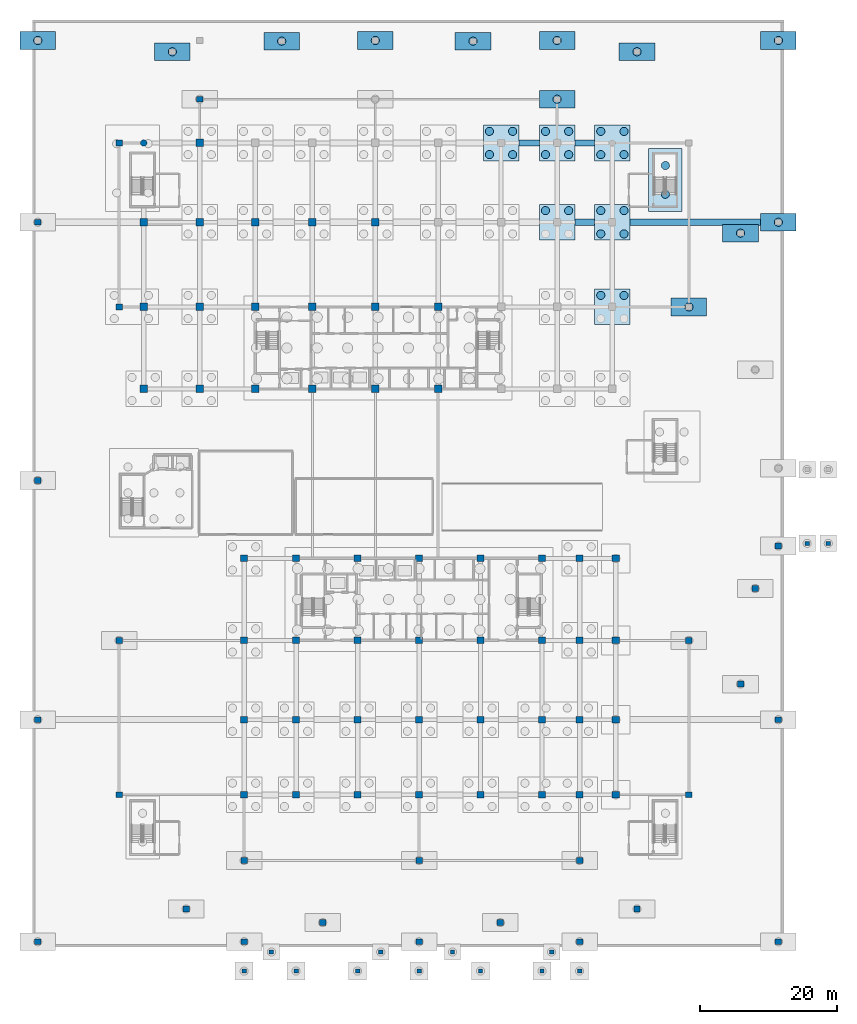
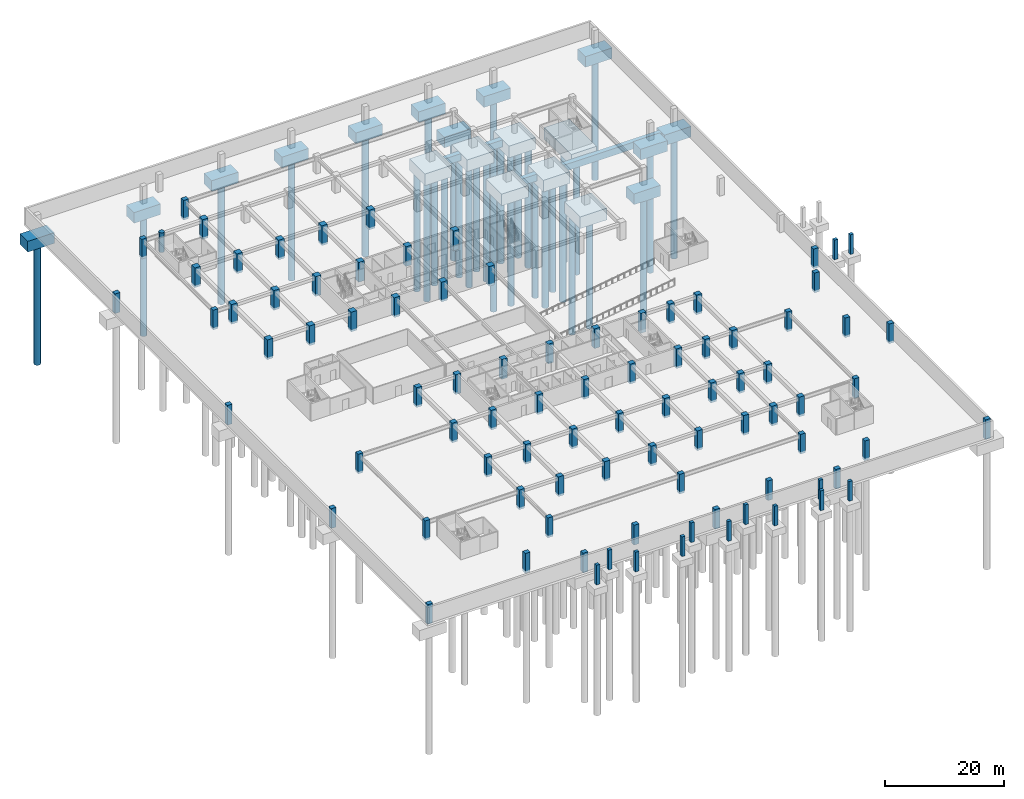
# One storey, part 4 of 26: 90 columns, 34 piles, 23 footings.
"""IFC4 building model written with IfcOpenShell, lengths in metres."""

from ifc_helpers import new_model, si_unit, direction, frame, origin, origin_2d, place, context, subcontext, project, spatial, polyline, rectangle, circle, outline, extrude, material, layer, layer_set, material_profile, profile_set, type_object, element, save


model = new_model("IFC4")

# Units and contexts
model_context = context("Model", 3, precision=1e-05, world=origin(), true_north=direction((0.0, 1.0)))
body_context = subcontext(model_context, "Body", "Model", "MODEL_VIEW")
ifc_project = project(units=[si_unit("LENGTHUNIT", "METRE"), si_unit("AREAUNIT", "SQUARE_METRE"), si_unit("VOLUMEUNIT", "CUBIC_METRE"), si_unit("PLANEANGLEUNIT", "RADIAN"), si_unit("MASSUNIT", "GRAM", prefix="KILO")], contexts=[model_context])

# Site, building, storey
site_placement = place(None, origin())
site = spatial("IfcSite", under=ifc_project, at=site_placement, CompositionType="ELEMENT")
building_placement = place(site_placement, origin())
building = spatial("IfcBuilding", under=site, at=building_placement, Name="Korimba Cascade Residences", CompositionType="ELEMENT")
storey_placement = place(building_placement, frame((0.0, 0.0, -10.800048828125)))
storey = spatial("IfcBuildingStorey", under=building, at=storey_placement, Name="B03", CompositionType="ELEMENT", Elevation=-10.800048828125)

# Footings
ifc_material_1 = material(Name="Concrete C50/60", Category="concrete")
ifc_layer_1 = layer(ifc_material_1, 1.39990234375)
ifc_layer_set_1 = layer_set([ifc_layer_1], Name="Concrete C50/60")
footing_type_1 = type_object("IfcFootingType", Name="GB-900X1400", PredefinedType="FOOTING_BEAM", material=ifc_layer_set_1)
footing_1_placement = place(storey_placement, frame((0.0, 0.0, -1.849853515625)))
element("IfcFooting", 1, at=footing_1_placement, inside=storey, type_object=footing_type_1, Name="Ground Tie Beam GB-008", PredefinedType="FOOTING_BEAM", context=body_context, shape_type="SweptSolid", body=[
    extrude(outline(polyline([(122.89990234375, 79.14990234375), (125.800048828125, 79.14990234375), (125.800048828125, 80.050048828125), (122.89990234375, 80.050048828125), (122.89990234375, 79.14990234375)])), origin(), (0.0, 0.0, 1.0), 1.39990234375),
])
footing_2_placement = place(storey_placement, frame((0.0, 0.0, -1.849853515625)))
element("IfcFooting", 2, at=footing_2_placement, inside=storey, type_object=footing_type_1, Name="Ground Tie Beam GB-009", PredefinedType="FOOTING_BEAM", context=body_context, shape_type="SweptSolid", body=[
    extrude(outline(polyline([(131.0, 79.14990234375), (150.10009765625, 79.14990234375), (150.10009765625, 80.050048828125), (131.0, 80.050048828125), (131.0, 79.14990234375)])), origin(), (0.0, 0.0, 1.0), 1.39990234375),
])
footing_3_placement = place(storey_placement, frame((0.0, 0.0, -1.849853515625)))
element("IfcFooting", 3, at=footing_3_placement, inside=storey, type_object=footing_type_1, Name="Ground Tie Beam GB-016", PredefinedType="FOOTING_BEAM", context=body_context, shape_type="SweptSolid", body=[
    extrude(outline(polyline([(114.699951171875, 90.75), (117.699951171875, 90.75), (117.699951171875, 91.64990234375), (114.699951171875, 91.64990234375), (114.699951171875, 90.75)])), origin(), (0.0, 0.0, 1.0), 1.39990234375),
])
footing_4_placement = place(storey_placement, frame((0.0, 0.0, -1.849853515625)))
element("IfcFooting", 4, at=footing_4_placement, inside=storey, type_object=footing_type_1, Name="Ground Tie Beam GB-017", PredefinedType="FOOTING_BEAM", context=body_context, shape_type="SweptSolid", body=[
    extrude(outline(polyline([(122.89990234375, 90.75), (125.800048828125, 90.75), (125.800048828125, 91.64990234375), (122.89990234375, 91.64990234375), (122.89990234375, 90.75)])), origin(), (0.0, 0.0, 1.0), 1.39990234375),
])
ifc_layer_2 = layer(ifc_material_1, 2.199951171875)
ifc_layer_set_2 = layer_set([ifc_layer_2], Name="Concrete C50/60")
footing_type_2 = type_object("IfcFootingType", Name="PC-2PILE-P", PredefinedType="PILE_CAP", material=ifc_layer_set_2)
footing_5_placement = place(storey_placement, frame((0.0, 0.0, -2.64990234375)))
element("IfcFooting", 5, at=footing_5_placement, inside=storey, type_object=footing_type_2, Name="Column Pile Cap FTG-PC-044", PredefinedType="PILE_CAP", context=body_context, shape_type="SweptSolid", body=[
    extrude(outline(polyline([(137.0, 65.89990234375), (142.199951171875, 65.89990234375), (142.199951171875, 68.5), (137.0, 68.5), (137.0, 65.89990234375)])), origin(), (0.0, 0.0, 1.0), 2.199951171875),
])
footing_6_placement = place(storey_placement, frame((0.0, 0.0, -2.64990234375)))
element("IfcFooting", 6, at=footing_6_placement, inside=storey, type_object=footing_type_2, Name="Column Pile Cap FTG-PC-050", PredefinedType="PILE_CAP", context=body_context, shape_type="SweptSolid", body=[
    extrude(outline(polyline([(117.699951171875, 96.300048828125), (122.89990234375, 96.300048828125), (122.89990234375, 98.89990234375), (117.699951171875, 98.89990234375), (117.699951171875, 96.300048828125)])), origin(), (0.0, 0.0, 1.0), 2.199951171875),
])
footing_7_placement = place(storey_placement, frame((0.0, 0.0, -2.64990234375)))
element("IfcFooting", 7, at=footing_7_placement, inside=storey, type_object=footing_type_2, Name="Column Pile Cap FTG-PC-055", PredefinedType="PILE_CAP", context=body_context, shape_type="SweptSolid", body=[
    extrude(outline(polyline([(77.39990234375, 104.800048828125), (82.60009765625, 104.800048828125), (82.60009765625, 107.39990234375), (77.39990234375, 107.39990234375), (77.39990234375, 104.800048828125)])), origin(), (0.0, 0.0, 1.0), 2.199951171875),
])
footing_8_placement = place(storey_placement, frame((0.0, 0.0, -2.64990234375)))
element("IfcFooting", 8, at=footing_8_placement, inside=storey, type_object=footing_type_2, Name="Column Pile Cap FTG-PC-056", PredefinedType="PILE_CAP", context=body_context, shape_type="SweptSolid", body=[
    extrude(outline(polyline([(105.39990234375, 104.800048828125), (110.60009765625, 104.800048828125), (110.60009765625, 107.39990234375), (105.39990234375, 107.39990234375), (105.39990234375, 104.800048828125)])), origin(), (0.0, 0.0, 1.0), 2.199951171875),
])
footing_9_placement = place(storey_placement, frame((0.0, 0.0, -2.64990234375)))
element("IfcFooting", 9, at=footing_9_placement, inside=storey, type_object=footing_type_2, Name="Column Pile Cap FTG-PC-057", PredefinedType="PILE_CAP", context=body_context, shape_type="SweptSolid", body=[
    extrude(outline(polyline([(61.39990234375, 103.25), (66.60009765625, 103.25), (66.60009765625, 105.85009765625), (61.39990234375, 105.85009765625), (61.39990234375, 103.25)])), origin(), (0.0, 0.0, 1.0), 2.199951171875),
])
footing_10_placement = place(storey_placement, frame((0.0, 0.0, -2.64990234375)))
element("IfcFooting", 10, at=footing_10_placement, inside=storey, type_object=footing_type_2, Name="Column Pile Cap FTG-PC-058", PredefinedType="PILE_CAP", context=body_context, shape_type="SweptSolid", body=[
    extrude(outline(polyline([(129.39990234375, 103.25), (134.60009765625, 103.25), (134.60009765625, 105.85009765625), (129.39990234375, 105.85009765625), (129.39990234375, 103.25)])), origin(), (0.0, 0.0, 1.0), 2.199951171875),
])
footing_11_placement = place(storey_placement, frame((0.0, 0.0, -2.64990234375)))
element("IfcFooting", 11, at=footing_11_placement, inside=storey, type_object=footing_type_2, Name="Column Pile Cap FTG-PC-062", PredefinedType="PILE_CAP", context=body_context, shape_type="SweptSolid", body=[
    extrude(outline(polyline([(144.550048828125, 76.699951171875), (149.75, 76.699951171875), (149.75, 79.300048828125), (144.550048828125, 79.300048828125), (144.550048828125, 76.699951171875)])), origin(), (0.0, 0.0, 1.0), 2.199951171875),
])
footing_12_placement = place(storey_placement, frame((0.0, 0.0, -2.64990234375)))
element("IfcFooting", 12, at=footing_12_placement, inside=storey, type_object=footing_type_2, Name="Column Pile Cap FTG-PC-067", PredefinedType="PILE_CAP", context=body_context, shape_type="SweptSolid", body=[
    extrude(outline(polyline([(41.699951171875, 104.89990234375), (46.89990234375, 104.89990234375), (46.89990234375, 107.5), (41.699951171875, 107.5), (41.699951171875, 104.89990234375)])), origin(), (0.0, 0.0, 1.0), 2.199951171875),
])
footing_13_placement = place(storey_placement, frame((0.0, 0.0, -2.64990234375)))
element("IfcFooting", 13, at=footing_13_placement, inside=storey, type_object=footing_type_2, Name="Column Pile Cap FTG-PC-072", PredefinedType="PILE_CAP", context=body_context, shape_type="SweptSolid", body=[
    extrude(outline(polyline([(150.10009765625, 78.300048828125), (155.300048828125, 78.300048828125), (155.300048828125, 80.89990234375), (150.10009765625, 80.89990234375), (150.10009765625, 78.300048828125)])), origin(), (0.0, 0.0, 1.0), 2.199951171875),
])
footing_14_placement = place(storey_placement, frame((0.0, 0.0, -2.64990234375)))
element("IfcFooting", 14, at=footing_14_placement, inside=storey, type_object=footing_type_2, Name="Column Pile Cap FTG-PC-073", PredefinedType="PILE_CAP", context=body_context, shape_type="SweptSolid", body=[
    extrude(outline(polyline([(150.10009765625, 104.89990234375), (155.300048828125, 104.89990234375), (155.300048828125, 107.5), (150.10009765625, 107.5), (150.10009765625, 104.89990234375)])), origin(), (0.0, 0.0, 1.0), 2.199951171875),
])
footing_15_placement = place(storey_placement, frame((0.0, 0.0, -2.64990234375)))
element("IfcFooting", 15, at=footing_15_placement, inside=storey, type_object=footing_type_2, Name="Column Pile Cap FTG-PC-077", PredefinedType="PILE_CAP", context=body_context, shape_type="SweptSolid", body=[
    extrude(outline(polyline([(91.10009765625, 104.89990234375), (96.300048828125, 104.89990234375), (96.300048828125, 107.5), (91.10009765625, 107.5), (91.10009765625, 104.89990234375)])), origin(), (0.0, 0.0, 1.0), 2.199951171875),
])
footing_16_placement = place(storey_placement, frame((0.0, 0.0, -2.64990234375)))
element("IfcFooting", 16, at=footing_16_placement, inside=storey, type_object=footing_type_2, Name="Column Pile Cap FTG-PC-078", PredefinedType="PILE_CAP", context=body_context, shape_type="SweptSolid", body=[
    extrude(outline(polyline([(117.699951171875, 104.89990234375), (122.89990234375, 104.89990234375), (122.89990234375, 107.5), (117.699951171875, 107.5), (117.699951171875, 104.89990234375)])), origin(), (0.0, 0.0, 1.0), 2.199951171875),
])
ifc_layer_3 = layer(ifc_material_1, 2.39990234375)
ifc_layer_set_3 = layer_set([ifc_layer_3], Name="Concrete C50/60")
footing_type_3 = type_object("IfcFootingType", Name="PC-4PILE", PredefinedType="PILE_CAP", material=ifc_layer_set_3)
footing_17_placement = place(storey_placement, frame((0.0, 0.0, -2.849853515625)))
element("IfcFooting", 17, at=footing_17_placement, inside=storey, type_object=footing_type_3, Name="Column Pile Cap FTG-PC-015", PredefinedType="PILE_CAP", context=body_context, shape_type="SweptSolid", body=[
    extrude(outline(polyline([(109.5, 88.60009765625), (114.699951171875, 88.60009765625), (114.699951171875, 93.800048828125), (109.5, 93.800048828125), (109.5, 88.60009765625)])), origin(), (0.0, 0.0, 1.0), 2.39990234375),
])
footing_18_placement = place(storey_placement, frame((0.0, 0.0, -2.849853515625)))
element("IfcFooting", 18, at=footing_18_placement, inside=storey, type_object=footing_type_3, Name="Column Pile Cap FTG-PC-018", PredefinedType="PILE_CAP", context=body_context, shape_type="SweptSolid", body=[
    extrude(outline(polyline([(117.699951171875, 77.0), (122.89990234375, 77.0), (122.89990234375, 82.199951171875), (117.699951171875, 82.199951171875), (117.699951171875, 77.0)])), origin(), (0.0, 0.0, 1.0), 2.39990234375),
])
footing_19_placement = place(storey_placement, frame((0.0, 0.0, -2.849853515625)))
element("IfcFooting", 19, at=footing_19_placement, inside=storey, type_object=footing_type_3, Name="Column Pile Cap FTG-PC-019", PredefinedType="PILE_CAP", context=body_context, shape_type="SweptSolid", body=[
    extrude(outline(polyline([(117.699951171875, 88.60009765625), (122.89990234375, 88.60009765625), (122.89990234375, 93.800048828125), (117.699951171875, 93.800048828125), (117.699951171875, 88.60009765625)])), origin(), (0.0, 0.0, 1.0), 2.39990234375),
])
footing_20_placement = place(storey_placement, frame((0.0, 0.0, -2.849853515625)))
element("IfcFooting", 20, at=footing_20_placement, inside=storey, type_object=footing_type_3, Name="Column Pile Cap FTG-PC-021", PredefinedType="PILE_CAP", context=body_context, shape_type="SweptSolid", body=[
    extrude(outline(polyline([(125.800048828125, 64.60009765625), (131.0, 64.60009765625), (131.0, 69.800048828125), (125.800048828125, 69.800048828125), (125.800048828125, 64.60009765625)])), origin(), (0.0, 0.0, 1.0), 2.39990234375),
])
footing_21_placement = place(storey_placement, frame((0.0, 0.0, -2.849853515625)))
element("IfcFooting", 21, at=footing_21_placement, inside=storey, type_object=footing_type_3, Name="Column Pile Cap FTG-PC-022", PredefinedType="PILE_CAP", context=body_context, shape_type="SweptSolid", body=[
    extrude(outline(polyline([(125.800048828125, 77.0), (131.0, 77.0), (131.0, 82.199951171875), (125.800048828125, 82.199951171875), (125.800048828125, 77.0)])), origin(), (0.0, 0.0, 1.0), 2.39990234375),
])
footing_22_placement = place(storey_placement, frame((0.0, 0.0, -2.849853515625)))
element("IfcFooting", 22, at=footing_22_placement, inside=storey, type_object=footing_type_3, Name="Column Pile Cap FTG-PC-023", PredefinedType="PILE_CAP", context=body_context, shape_type="SweptSolid", body=[
    extrude(outline(polyline([(125.800048828125, 88.60009765625), (131.0, 88.60009765625), (131.0, 93.800048828125), (125.800048828125, 93.800048828125), (125.800048828125, 88.60009765625)])), origin(), (0.0, 0.0, 1.0), 2.39990234375),
])

# Piles
ifc_material_profile_1 = material_profile(ifc_material_1, circle(Radius=0.60009765625, at=origin_2d()), Name="Concrete C50/60")
ifc_profile_set_1 = profile_set([ifc_material_profile_1], Name="Concrete C50/60")
pile_type = type_object("IfcPileType", Name="PILE-D1200", PredefinedType="BORED", material=ifc_profile_set_1)
for number, where, z_axis, x_axis, name in (
    (23, (136.14990234375, 83.699951171875, -2.75), (0.0, 0.0, -1.0), (1.0, 0.0, 0.0), "Podium Core Bored Pile P4 1.1"),
    (24, (136.14990234375, 87.89990234375, -2.75), (0.0, 0.0, -1.0), (1.0, 0.0, 0.0), "Podium Core Bored Pile P4 1.2"),
    (25, (110.39990234375, 89.5, -2.75), (0.0, 0.0, -1.0), (1.0, 0.0, 0.0), "Cap Bored Pile FTG-PC-015.1"),
    (26, (113.800048828125, 89.5, -2.75), (0.0, 0.0, -1.0), (1.0, 0.0, 0.0), "Cap Bored Pile FTG-PC-015.2"),
    (27, (110.39990234375, 92.89990234375, -2.75), (0.0, 0.0, -1.0), (1.0, 0.0, 0.0), "Cap Bored Pile FTG-PC-015.3"),
    (28, (113.800048828125, 92.89990234375, -2.75), (0.0, 0.0, -1.0), (1.0, 0.0, 0.0), "Cap Bored Pile FTG-PC-015.4"),
    (29, (118.60009765625, 81.300048828125, -2.75), (0.0, 0.0, -1.0), (1.0, 0.0, 0.0), "Cap Bored Pile FTG-PC-018.3"),
    (30, (122.0, 81.300048828125, -2.75), (0.0, 0.0, -1.0), (1.0, 0.0, 0.0), "Cap Bored Pile FTG-PC-018.4"),
    (31, (118.60009765625, 89.5, -2.75), (0.0, 0.0, -1.0), (1.0, 0.0, 0.0), "Cap Bored Pile FTG-PC-019.1"),
    (32, (122.0, 89.5, -2.75), (0.0, 0.0, -1.0), (1.0, 0.0, 0.0), "Cap Bored Pile FTG-PC-019.2"),
    (33, (118.60009765625, 92.89990234375, -2.75), (0.0, 0.0, -1.0), (1.0, 0.0, 0.0), "Cap Bored Pile FTG-PC-019.3"),
    (34, (122.0, 92.89990234375, -2.75), (0.0, 0.0, -1.0), (1.0, 0.0, 0.0), "Cap Bored Pile FTG-PC-019.4"),
    (35, (126.699951171875, 68.89990234375, -2.75), (0.0, 0.0, -1.0), (1.0, 0.0, 0.0), "Cap Bored Pile FTG-PC-021.3"),
    (36, (130.10009765625, 68.89990234375, -2.75), (0.0, 0.0, -1.0), (1.0, 0.0, 0.0), "Cap Bored Pile FTG-PC-021.4"),
    (37, (126.699951171875, 77.89990234375, -2.75), (0.0, 0.0, -1.0), (1.0, 0.0, 0.0), "Cap Bored Pile FTG-PC-022.1"),
    (38, (130.10009765625, 77.89990234375, -2.75), (0.0, 0.0, -1.0), (1.0, 0.0, 0.0), "Cap Bored Pile FTG-PC-022.2"),
    (39, (126.699951171875, 81.300048828125, -2.75), (0.0, 0.0, -1.0), (1.0, 0.0, 0.0), "Cap Bored Pile FTG-PC-022.3"),
    (40, (130.10009765625, 81.300048828125, -2.75), (0.0, 0.0, -1.0), (1.0, 0.0, 0.0), "Cap Bored Pile FTG-PC-022.4"),
    (41, (126.699951171875, 89.5, -2.75), (0.0, 0.0, -1.0), (1.0, 0.0, 0.0), "Cap Bored Pile FTG-PC-023.1"),
    (42, (130.10009765625, 89.5, -2.75), (0.0, 0.0, -1.0), (1.0, 0.0, 0.0), "Cap Bored Pile FTG-PC-023.2"),
    (43, (126.699951171875, 92.89990234375, -2.75), (0.0, 0.0, -1.0), (1.0, 0.0, 0.0), "Cap Bored Pile FTG-PC-023.3"),
    (44, (130.10009765625, 92.89990234375, -2.75), (0.0, 0.0, -1.0), (1.0, 0.0, 0.0), "Cap Bored Pile FTG-PC-023.4"),
):
    element("IfcPile", number, at=place(storey_placement, frame(where, z_axis=z_axis, x_axis=x_axis)), inside=storey, type_object=pile_type, Name=name, PredefinedType="BORED", context=body_context, shape_type="SweptSolid", body=[
        extrude(circle(Radius=0.60009765625, at=origin_2d()), origin(), (0.0, 0.0, 1.0), 24.449951171875),
    ])
for number, where, z_axis, x_axis, name in (
    (45, (139.60009765625, 67.199951171875, -2.550048828125), (0.0, 0.0, -1.0), (1.0, 0.0, 0.0), "Cap Bored Pile FTG-PC-044.1"),
    (46, (120.300048828125, 97.60009765625, -2.550048828125), (0.0, 0.0, -1.0), (1.0, 0.0, 0.0), "Cap Bored Pile FTG-PC-050.1"),
    (47, (80.0, 106.10009765625, -2.550048828125), (0.0, 0.0, -1.0), (1.0, 0.0, 0.0), "Cap Bored Pile FTG-PC-055.1"),
    (48, (108.0, 106.10009765625, -2.550048828125), (0.0, 0.0, -1.0), (1.0, 0.0, 0.0), "Cap Bored Pile FTG-PC-056.1"),
    (49, (64.0, 104.550048828125, -2.550048828125), (0.0, 0.0, -1.0), (1.0, 0.0, 0.0), "Cap Bored Pile FTG-PC-057.1"),
    (50, (132.0, 104.550048828125, -2.550048828125), (0.0, 0.0, -1.0), (1.0, 0.0, 0.0), "Cap Bored Pile FTG-PC-058.1"),
    (51, (147.14990234375, 78.0, -2.550048828125), (0.0, 0.0, -1.0), (1.0, 0.0, 0.0), "Cap Bored Pile FTG-PC-062.1"),
    (52, (44.300048828125, 106.199951171875, -2.550048828125), (0.0, 0.0, -1.0), (1.0, 0.0, 0.0), "Cap Bored Pile FTG-PC-067.1"),
    (53, (152.699951171875, 79.60009765625, -2.550048828125), (0.0, 0.0, -1.0), (1.0, 0.0, 0.0), "Cap Bored Pile FTG-PC-072.1"),
    (54, (152.699951171875, 106.199951171875, -2.550048828125), (0.0, 0.0, -1.0), (1.0, 0.0, 0.0), "Cap Bored Pile FTG-PC-073.1"),
    (55, (93.699951171875, 106.199951171875, -2.550048828125), (0.0, 0.0, -1.0), (1.0, 0.0, 0.0), "Cap Bored Pile FTG-PC-077.1"),
    (56, (120.300048828125, 106.199951171875, -2.550048828125), (0.0, 0.0, -1.0), (1.0, 0.0, 0.0), "Cap Bored Pile FTG-PC-078.1"),
):
    element("IfcPile", number, at=place(storey_placement, frame(where, z_axis=z_axis, x_axis=x_axis)), inside=storey, type_object=pile_type, Name=name, PredefinedType="BORED", context=body_context, shape_type="SweptSolid", body=[
        extrude(circle(Radius=0.60009765625, at=origin_2d()), origin(), (0.0, 0.0, 1.0), 24.64990234375),
    ])

# Footing
ifc_layer_4 = layer(ifc_material_1, 2.39990234375)
ifc_layer_set_4 = layer_set([ifc_layer_4], Name="Concrete C50/60")
footing_type_4 = type_object("IfcFootingType", Name="RAFT-POD-E", PredefinedType="PILE_CAP", material=ifc_layer_set_4)
footing_23_placement = place(storey_placement, frame((0.0, 0.0, -2.849853515625)))
element("IfcFooting", 57, at=footing_23_placement, inside=storey, type_object=footing_type_4, Name="Piled Raft CR-P4", PredefinedType="PILE_CAP", context=body_context, shape_type="SweptSolid", body=[
    extrude(outline(polyline([(133.699951171875, 81.199951171875), (138.60009765625, 81.199951171875), (138.60009765625, 90.39990234375), (133.699951171875, 90.39990234375), (133.699951171875, 81.199951171875)])), origin(), (0.0, 0.0, 1.0), 2.39990234375),
])

# Columns
ifc_material_2 = material(Name="Concrete C80/95", Category="concrete")
ifc_material_profile_2 = material_profile(ifc_material_2, rectangle(XDim=1.050048828125, YDim=0.949951171875, at=origin_2d()), Name="Concrete C80/95")
ifc_profile_set_2 = profile_set([ifc_material_profile_2], Name="Concrete C80/95")
column_type_1 = type_object("IfcColumnType", Name="COL-RC-1050", PredefinedType="COLUMN", material=ifc_profile_set_2)
for number, where, z_axis, x_axis, name in (
    (58, (74.5, -4.199951171875, -0.449951171875), (0.0, 0.0, 1.0), (1.0, 0.0, 0.0), "B03 Tower 2 Column 1.1"),
    (59, (74.5, 6.800048828125, -0.449951171875), (0.0, 0.0, 1.0), (1.0, 0.0, 0.0), "B03 Tower 2 Column 1.2"),
    (60, (74.5, 18.39990234375, -0.449951171875), (0.0, 0.0, 1.0), (1.0, 0.0, 0.0), "B03 Tower 2 Column 1.3"),
    (61, (74.5, 30.39990234375, -0.449951171875), (0.0, 0.0, 1.0), (1.0, 0.0, 0.0), "B03 Tower 2 Column 1.4"),
    (62, (82.10009765625, -4.199951171875, -0.449951171875), (0.0, 0.0, 1.0), (1.0, 0.0, 0.0), "B03 Tower 2 Column 2.1"),
    (63, (82.10009765625, 6.800048828125, -0.449951171875), (0.0, 0.0, 1.0), (1.0, 0.0, 0.0), "B03 Tower 2 Column 2.2"),
    (64, (82.10009765625, 18.39990234375, -0.449951171875), (0.0, 0.0, 1.0), (1.0, 0.0, 0.0), "B03 Tower 2 Column 2.3"),
    (65, (82.10009765625, 30.39990234375, -0.449951171875), (0.0, 0.0, 1.0), (1.0, 0.0, 0.0), "B03 Tower 2 Column 2.4"),
    (66, (91.10009765625, -4.199951171875, -0.449951171875), (0.0, 0.0, 1.0), (1.0, 0.0, 0.0), "B03 Tower 2 Column 3.1"),
    (67, (91.10009765625, 6.800048828125, -0.449951171875), (0.0, 0.0, 1.0), (1.0, 0.0, 0.0), "B03 Tower 2 Column 3.2"),
    (68, (91.10009765625, 18.39990234375, -0.449951171875), (0.0, 0.0, 1.0), (1.0, 0.0, 0.0), "B03 Tower 2 Column 3.3"),
    (69, (91.10009765625, 30.39990234375, -0.449951171875), (0.0, 0.0, 1.0), (1.0, 0.0, 0.0), "B03 Tower 2 Column 3.4"),
    (70, (100.10009765625, -4.199951171875, -0.449951171875), (0.0, 0.0, 1.0), (1.0, 0.0, 0.0), "B03 Tower 2 Column 4.1"),
    (71, (100.10009765625, 6.800048828125, -0.449951171875), (0.0, 0.0, 1.0), (1.0, 0.0, 0.0), "B03 Tower 2 Column 4.2"),
    (72, (100.10009765625, 18.39990234375, -0.449951171875), (0.0, 0.0, 1.0), (1.0, 0.0, 0.0), "B03 Tower 2 Column 4.3"),
    (73, (100.10009765625, 30.39990234375, -0.449951171875), (0.0, 0.0, 1.0), (1.0, 0.0, 0.0), "B03 Tower 2 Column 4.4"),
    (74, (109.10009765625, -4.199951171875, -0.449951171875), (0.0, 0.0, 1.0), (1.0, 0.0, 0.0), "B03 Tower 2 Column 5.1"),
    (75, (109.10009765625, 6.800048828125, -0.449951171875), (0.0, 0.0, 1.0), (1.0, 0.0, 0.0), "B03 Tower 2 Column 5.2"),
    (76, (109.10009765625, 18.39990234375, -0.449951171875), (0.0, 0.0, 1.0), (1.0, 0.0, 0.0), "B03 Tower 2 Column 5.3"),
    (77, (109.10009765625, 30.39990234375, -0.449951171875), (0.0, 0.0, 1.0), (1.0, 0.0, 0.0), "B03 Tower 2 Column 5.4"),
    (78, (118.10009765625, -4.199951171875, -0.449951171875), (0.0, 0.0, 1.0), (1.0, 0.0, 0.0), "B03 Tower 2 Column 6.1"),
    (79, (118.10009765625, 6.800048828125, -0.449951171875), (0.0, 0.0, 1.0), (1.0, 0.0, 0.0), "B03 Tower 2 Column 6.2"),
    (80, (118.10009765625, 18.39990234375, -0.449951171875), (0.0, 0.0, 1.0), (1.0, 0.0, 0.0), "B03 Tower 2 Column 6.3"),
    (81, (118.10009765625, 30.39990234375, -0.449951171875), (0.0, 0.0, 1.0), (1.0, 0.0, 0.0), "B03 Tower 2 Column 6.4"),
    (82, (123.60009765625, -4.199951171875, -0.449951171875), (0.0, 0.0, 1.0), (1.0, 0.0, 0.0), "B03 Tower 2 Column 7.1"),
    (83, (123.60009765625, 6.800048828125, -0.449951171875), (0.0, 0.0, 1.0), (1.0, 0.0, 0.0), "B03 Tower 2 Column 7.2"),
    (84, (123.60009765625, 18.39990234375, -0.449951171875), (0.0, 0.0, 1.0), (1.0, 0.0, 0.0), "B03 Tower 2 Column 7.3"),
    (85, (123.60009765625, 30.39990234375, -0.449951171875), (0.0, 0.0, 1.0), (1.0, 0.0, 0.0), "B03 Tower 2 Column 7.4"),
    (86, (128.89990234375, -4.199951171875, -0.449951171875), (0.0, 0.0, 1.0), (1.0, 0.0, 0.0), "B03 Tower 2 Column 8.1"),
    (87, (128.89990234375, 6.800048828125, -0.449951171875), (0.0, 0.0, 1.0), (1.0, 0.0, 0.0), "B03 Tower 2 Column 8.2"),
    (88, (128.89990234375, 18.39990234375, -0.449951171875), (0.0, 0.0, 1.0), (1.0, 0.0, 0.0), "B03 Tower 2 Column 8.3"),
    (89, (128.89990234375, 30.39990234375, -0.449951171875), (0.0, 0.0, 1.0), (1.0, 0.0, 0.0), "B03 Tower 2 Column 8.4"),
):
    element("IfcColumn", number, at=place(storey_placement, frame(where, z_axis=z_axis, x_axis=x_axis)), inside=storey, type_object=column_type_1, Name=name, PredefinedType="COLUMN", context=body_context, shape_type="SweptSolid", body=[
        extrude(rectangle(XDim=1.050048828125, YDim=0.949951171875, at=origin_2d()), origin(), (0.0, 0.0, 1.0), 4.050048828125),
    ])
ifc_material_profile_3 = material_profile(ifc_material_2, rectangle(XDim=1.10009765625, YDim=1.10009765625, at=origin_2d()), Name="Concrete C80/95")
ifc_profile_set_3 = profile_set([ifc_material_profile_3], Name="Concrete C80/95")
column_type_2 = type_object("IfcColumnType", Name="COL-RC-1100", PredefinedType="COLUMN", material=ifc_profile_set_3)
for number, where, z_axis, x_axis, name in (
    (90, (59.800048828125, 55.199951171875, -0.449951171875), (0.0, 0.0, 1.0), (1.0, 0.0, 0.0), "B03 Tower 1 Column 1.1"),
    (91, (59.800048828125, 67.199951171875, -0.449951171875), (0.0, 0.0, 1.0), (1.0, 0.0, 0.0), "B03 Tower 1 Column 1.2"),
    (92, (59.800048828125, 79.60009765625, -0.449951171875), (0.0, 0.0, 1.0), (1.0, 0.0, 0.0), "B03 Tower 1 Column 1.3"),
    (93, (68.0, 55.199951171875, -0.449951171875), (0.0, 0.0, 1.0), (1.0, 0.0, 0.0), "B03 Tower 1 Column 2.1"),
    (94, (68.0, 67.199951171875, -0.449951171875), (0.0, 0.0, 1.0), (1.0, 0.0, 0.0), "B03 Tower 1 Column 2.2"),
    (95, (68.0, 79.60009765625, -0.449951171875), (0.0, 0.0, 1.0), (1.0, 0.0, 0.0), "B03 Tower 1 Column 2.3"),
    (96, (68.0, 91.199951171875, -0.449951171875), (0.0, 0.0, 1.0), (1.0, 0.0, 0.0), "B03 Tower 1 Column 2.4"),
    (97, (76.10009765625, 55.199951171875, -0.449951171875), (0.0, 0.0, 1.0), (1.0, 0.0, 0.0), "B03 Tower 1 Column 3.1"),
    (98, (76.10009765625, 67.199951171875, -0.449951171875), (0.0, 0.0, 1.0), (1.0, 0.0, 0.0), "B03 Tower 1 Column 3.2"),
    (99, (76.10009765625, 79.60009765625, -0.449951171875), (0.0, 0.0, 1.0), (1.0, 0.0, 0.0), "B03 Tower 1 Column 3.3"),
    (100, (84.5, 55.199951171875, -0.449951171875), (0.0, 0.0, 1.0), (1.0, 0.0, 0.0), "B03 Tower 1 Column 4.1"),
    (101, (84.5, 67.199951171875, -0.449951171875), (0.0, 0.0, 1.0), (1.0, 0.0, 0.0), "B03 Tower 1 Column 4.2"),
    (102, (84.5, 79.60009765625, -0.449951171875), (0.0, 0.0, 1.0), (1.0, 0.0, 0.0), "B03 Tower 1 Column 4.3"),
    (103, (93.699951171875, 55.199951171875, -0.449951171875), (0.0, 0.0, 1.0), (1.0, 0.0, 0.0), "B03 Tower 1 Column 5.1"),
    (104, (93.699951171875, 67.199951171875, -0.449951171875), (0.0, 0.0, 1.0), (1.0, 0.0, 0.0), "B03 Tower 1 Column 5.2"),
    (105, (93.699951171875, 79.60009765625, -0.449951171875), (0.0, 0.0, 1.0), (1.0, 0.0, 0.0), "B03 Tower 1 Column 5.3"),
    (106, (102.89990234375, 55.199951171875, -0.449951171875), (0.0, 0.0, 1.0), (1.0, 0.0, 0.0), "B03 Tower 1 Column 6.1"),
    (107, (102.89990234375, 67.199951171875, -0.449951171875), (0.0, 0.0, 1.0), (1.0, 0.0, 0.0), "B03 Tower 1 Column 6.2"),
):
    element("IfcColumn", number, at=place(storey_placement, frame(where, z_axis=z_axis, x_axis=x_axis)), inside=storey, type_object=column_type_2, Name=name, PredefinedType="COLUMN", context=body_context, shape_type="SweptSolid", body=[
        extrude(rectangle(XDim=1.10009765625, YDim=1.10009765625, at=origin_2d()), origin(), (0.0, 0.0, 1.0), 4.050048828125),
    ])
ifc_material_profile_4 = material_profile(ifc_material_1, rectangle(XDim=0.64990234375, YDim=0.60009765625, at=origin_2d()), Name="Concrete C50/60")
ifc_profile_set_4 = profile_set([ifc_material_profile_4], Name="Concrete C50/60")
column_type_3 = type_object("IfcColumnType", Name="COL-RC-650", PredefinedType="COLUMN", material=ifc_profile_set_4)
for number, where, z_axis, x_axis, name in (
    (108, (74.5, -30.0, -0.449951171875), (0.0, 0.0, 1.0), (1.0, 0.0, 0.0), "B03 Porte-Cochere Sub-Pier 1"),
    (109, (82.10009765625, -30.0, -0.449951171875), (0.0, 0.0, 1.0), (1.0, 0.0, 0.0), "B03 Porte-Cochere Sub-Pier 2"),
    (110, (91.10009765625, -30.0, -0.449951171875), (0.0, 0.0, 1.0), (1.0, 0.0, 0.0), "B03 Porte-Cochere Sub-Pier 3"),
    (111, (100.10009765625, -30.0, -0.449951171875), (0.0, 0.0, 1.0), (1.0, 0.0, 0.0), "B03 Porte-Cochere Sub-Pier 4"),
    (112, (109.10009765625, -30.0, -0.449951171875), (0.0, 0.0, 1.0), (1.0, 0.0, 0.0), "B03 Porte-Cochere Sub-Pier 5"),
    (113, (118.10009765625, -30.0, -0.449951171875), (0.0, 0.0, 1.0), (1.0, 0.0, 0.0), "B03 Porte-Cochere Sub-Pier 6"),
    (114, (123.60009765625, -30.0, -0.449951171875), (0.0, 0.0, 1.0), (1.0, 0.0, 0.0), "B03 Porte-Cochere Sub-Pier 7"),
    (115, (156.89990234375, 32.60009765625, -0.449951171875), (0.0, 0.0, 1.0), (1.0, 0.0, 0.0), "B03 Plaza Sub-Pier APR1"),
    (116, (160.0, 32.60009765625, -0.449951171875), (0.0, 0.0, 1.0), (1.0, 0.0, 0.0), "B03 Plaza Sub-Pier APR3"),
    (117, (78.5, -27.199951171875, -0.449951171875), (0.0, 0.0, 1.0), (1.0, 0.0, 0.0), "B03 Plaza Sub-Pier PLZS1A"),
    (118, (94.5, -27.199951171875, -0.449951171875), (0.0, 0.0, 1.0), (1.0, 0.0, 0.0), "B03 Plaza Sub-Pier PLZS1B"),
    (119, (105.0, -27.199951171875, -0.449951171875), (0.0, 0.0, 1.0), (1.0, 0.0, 0.0), "B03 Plaza Sub-Pier PLZS2A"),
    (120, (119.5, -27.199951171875, -0.449951171875), (0.0, 0.0, 1.0), (1.0, 0.0, 0.0), "B03 Plaza Sub-Pier PLZS2B"),
):
    element("IfcColumn", number, at=place(storey_placement, frame(where, z_axis=z_axis, x_axis=x_axis)), inside=storey, type_object=column_type_3, Name=name, PredefinedType="COLUMN", context=body_context, shape_type="SweptSolid", body=[
        extrude(rectangle(XDim=0.64990234375, YDim=0.60009765625, at=origin_2d()), origin(), (0.0, 0.0, 1.0), 4.050048828125),
    ])
ifc_material_3 = material(Name="Concrete C65/80", Category="concrete")
ifc_material_profile_5 = material_profile(ifc_material_3, rectangle(XDim=0.949951171875, YDim=0.85009765625, at=origin_2d()), Name="Concrete C65/80")
ifc_profile_set_5 = profile_set([ifc_material_profile_5], Name="Concrete C65/80")
column_type_4 = type_object("IfcColumnType", Name="COL-RC-950", PredefinedType="COLUMN", material=ifc_profile_set_5)
for number, where, z_axis, x_axis, name in (
    (121, (56.199951171875, -4.199951171875, -0.449951171875), (0.0, 0.0, 1.0), (1.0, 0.0, 0.0), "B03 Podium Column PCW1"),
    (122, (56.199951171875, 18.39990234375, -0.449951171875), (0.0, 0.0, 1.0), (1.0, 0.0, 0.0), "B03 Podium Column PCW2"),
    (123, (56.199951171875, 67.199951171875, -0.449951171875), (0.0, 0.0, 1.0), (1.0, 0.0, 0.0), "B03 Podium Column PCW3"),
    (124, (56.199951171875, 91.199951171875, -0.449951171875), (0.0, 0.0, 1.0), (1.0, 0.0, 0.0), "B03 Podium Column PCW4"),
    (125, (139.60009765625, -4.199951171875, -0.449951171875), (0.0, 0.0, 1.0), (1.0, 0.0, 0.0), "B03 Podium Column PCE1"),
    (126, (139.60009765625, 18.39990234375, -0.449951171875), (0.0, 0.0, 1.0), (1.0, 0.0, 0.0), "B03 Podium Column PCE2"),
    (127, (74.5, -13.800048828125, -0.449951171875), (0.0, 0.0, 1.0), (1.0, 0.0, 0.0), "B03 Podium Column PCS1"),
    (128, (100.10009765625, -13.800048828125, -0.449951171875), (0.0, 0.0, 1.0), (1.0, 0.0, 0.0), "B03 Podium Column PCS2"),
    (129, (123.60009765625, -13.800048828125, -0.449951171875), (0.0, 0.0, 1.0), (1.0, 0.0, 0.0), "B03 Podium Column PCS3"),
    (130, (68.0, 97.60009765625, -0.449951171875), (0.0, 0.0, 1.0), (1.0, 0.0, 0.0), "B03 Podium Column PCN1"),
    (131, (86.0, -22.89990234375, -0.449951171875), (0.0, 0.0, 1.0), (1.0, 0.0, 0.0), "B03 Podium Column PTS1"),
    (132, (112.0, -22.89990234375, -0.449951171875), (0.0, 0.0, 1.0), (1.0, 0.0, 0.0), "B03 Podium Column PTS2"),
    (133, (66.0, -20.89990234375, -0.449951171875), (0.0, 0.0, 1.0), (1.0, 0.0, 0.0), "B03 Podium Column PTS3"),
    (134, (132.0, -20.89990234375, -0.449951171875), (0.0, 0.0, 1.0), (1.0, 0.0, 0.0), "B03 Podium Column PTS4"),
    (135, (149.300048828125, 26.0, -0.449951171875), (0.0, 0.0, 1.0), (1.0, 0.0, 0.0), "B03 Podium Column PTE1"),
    (136, (147.14990234375, 12.0, -0.449951171875), (0.0, 0.0, 1.0), (1.0, 0.0, 0.0), "B03 Podium Column PTE3"),
    (137, (44.300048828125, -25.699951171875, -0.449951171875), (0.0, 0.0, 1.0), (1.0, 0.0, 0.0), "B03 Podium Column PLW1"),
    (138, (44.300048828125, 6.800048828125, -0.449951171875), (0.0, 0.0, 1.0), (1.0, 0.0, 0.0), "B03 Podium Column PLW2"),
    (139, (44.300048828125, 41.800048828125, -0.449951171875), (0.0, 0.0, 1.0), (1.0, 0.0, 0.0), "B03 Podium Column PLW3"),
    (140, (44.300048828125, 79.60009765625, -0.449951171875), (0.0, 0.0, 1.0), (1.0, 0.0, 0.0), "B03 Podium Column PLW4"),
    (141, (152.699951171875, -25.699951171875, -0.449951171875), (0.0, 0.0, 1.0), (1.0, 0.0, 0.0), "B03 Podium Column PLE1"),
    (142, (152.699951171875, 6.800048828125, -0.449951171875), (0.0, 0.0, 1.0), (1.0, 0.0, 0.0), "B03 Podium Column PLE2"),
    (143, (152.699951171875, 32.199951171875, -0.449951171875), (0.0, 0.0, 1.0), (1.0, 0.0, 0.0), "B03 Podium Column PLE3"),
    (144, (74.5, -25.699951171875, -0.449951171875), (0.0, 0.0, 1.0), (1.0, 0.0, 0.0), "B03 Podium Column PLS1"),
    (145, (100.10009765625, -25.699951171875, -0.449951171875), (0.0, 0.0, 1.0), (1.0, 0.0, 0.0), "B03 Podium Column PLS2"),
    (146, (123.60009765625, -25.699951171875, -0.449951171875), (0.0, 0.0, 1.0), (1.0, 0.0, 0.0), "B03 Podium Column PLS3"),
):
    element("IfcColumn", number, at=place(storey_placement, frame(where, z_axis=z_axis, x_axis=x_axis)), inside=storey, type_object=column_type_4, Name=name, PredefinedType="COLUMN", context=body_context, shape_type="SweptSolid", body=[
        extrude(rectangle(XDim=0.949951171875, YDim=0.85009765625, at=origin_2d()), origin(), (0.0, 0.0, 1.0), 4.050048828125),
    ])
ifc_material_profile_6 = material_profile(ifc_material_2, circle(Radius=0.47509765625, at=origin_2d()), Name="Concrete C80/95")
ifc_profile_set_6 = profile_set([ifc_material_profile_6], Name="Concrete C80/95")
column_type_5 = type_object("IfcColumnType", Name="COL-RC-D950", PredefinedType="COLUMN", material=ifc_profile_set_6)
column_placement = place(storey_placement, frame((59.800048828125, 91.199951171875, -0.449951171875), z_axis=(0.0, 0.0, 1.0), x_axis=(1.0, 0.0, 0.0)))
element("IfcColumn", 147, at=column_placement, inside=storey, type_object=column_type_5, Name="B03 Tower 1 Column 1.4", PredefinedType="COLUMN", context=body_context, shape_type="SweptSolid", body=[
    extrude(circle(Radius=0.47509765625, at=origin_2d()), origin(), (0.0, 0.0, 1.0), 4.050048828125),
])

save(model, "model.ifc")
